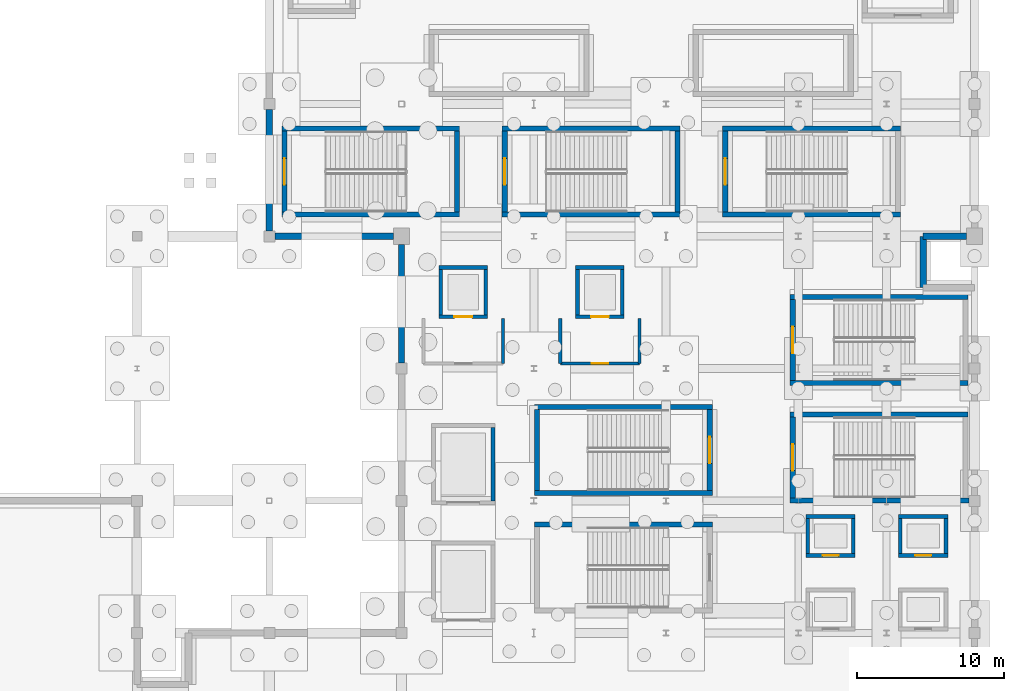
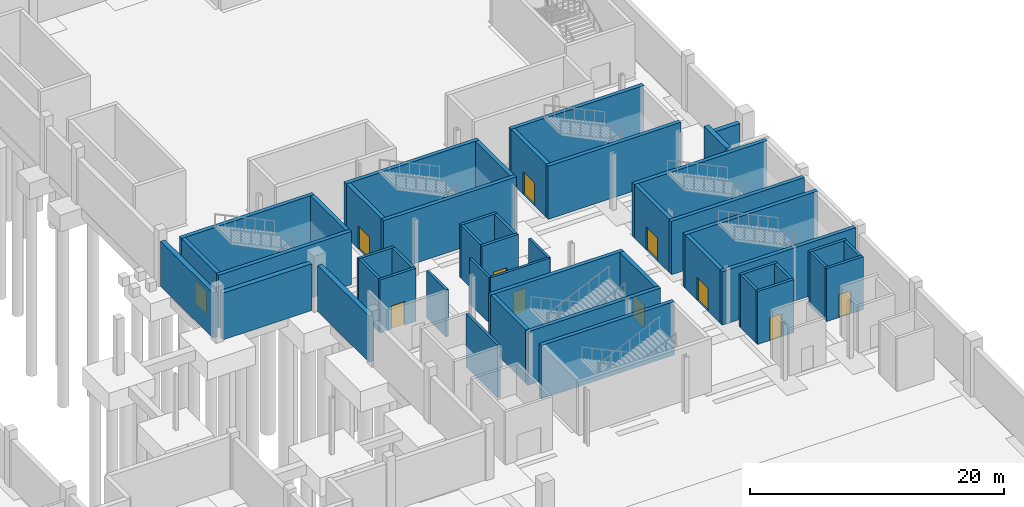
# One storey, part 44 of 58: 48 walls, 11 doors, 11 openings.
"""IFC4 building model written with IfcOpenShell, lengths in metres."""

from ifc_helpers import new_model, si_unit, direction, frame, frame_2d, origin, place, context, subcontext, project, spatial, rectangle, extrude, material, layer, layer_set, type_object, element, fill, save


model = new_model("IFC4")

# Units and contexts
model_context = context("Model", 3, precision=1e-05, world=origin(), true_north=direction((0.0, 1.0)))
body_context = subcontext(model_context, "Body", "Model", "MODEL_VIEW")
ifc_project = project(units=[si_unit("LENGTHUNIT", "METRE"), si_unit("AREAUNIT", "SQUARE_METRE"), si_unit("VOLUMEUNIT", "CUBIC_METRE"), si_unit("PLANEANGLEUNIT", "RADIAN"), si_unit("MASSUNIT", "GRAM", prefix="KILO")], contexts=[model_context])

# Site, building, storey
site_placement = place(None, origin())
site = spatial("IfcSite", under=ifc_project, at=site_placement, CompositionType="ELEMENT")
building_placement = place(site_placement, origin())
building = spatial("IfcBuilding", under=site, at=building_placement, Name="Qamarlyn Nura Convention Centre", CompositionType="ELEMENT")
storey_placement = place(building_placement, frame((0.0, 0.0, -5.39990234375)))
storey = spatial("IfcBuildingStorey", under=building, at=storey_placement, Name="B01", CompositionType="ELEMENT", Elevation=-5.39990234375)

# Wall
ifc_material_1 = material(Name="Fire-rated acoustic gypsum board and mineral wool EI 120")
ifc_layer_1 = layer(ifc_material_1, 0.219970703125, Name="WT-COMP-220")
ifc_layer_set_1 = layer_set([ifc_layer_1], Name="Fire-rated acoustic gypsum board and mineral wool EI 120")
wall_type_1 = type_object("IfcWallType", Name="WT-COMP-220", PredefinedType="SOLIDWALL", material=ifc_layer_set_1)
wall_1_placement = place(storey_placement, frame((159.89990234375, 72.35009765625, 0.0), z_axis=(0.0, 0.0, 1.0), x_axis=(0.0, 1.0, 0.0)))
element("IfcWall", 1, at=wall_1_placement, inside=storey, type_object=wall_type_1, Name="B01 firefighting lobby barrier wall FFL-03-E", PredefinedType="SOLIDWALL", context=body_context, shape_type="SweptSolid", body=[
    extrude(rectangle(XDim=3.0498046875, YDim=0.219970703125, at=frame_2d((1.52490234375, 0.0))), origin(), (0.0, 0.0, 1.0), 4.513916015625),
])

# Wall, opening, door
wall_2_placement = place(storey_placement, frame((163.800048828125, 72.35009765625, 0.0), z_axis=(0.0, 0.0, 1.0), x_axis=(1.0, 0.0, 0.0)))
wall_2 = element("IfcWall", 2, at=wall_2_placement, inside=storey, type_object=wall_type_1, Name="B01 firefighting lobby barrier wall FFL-04-OPP", PredefinedType="SOLIDWALL", context=body_context, shape_type="SweptSolid", body=[
    extrude(rectangle(XDim=5.39990234375, YDim=0.219970703125, at=frame_2d((2.699951171875, 0.0))), origin(), (0.0, 0.0, 1.0), 4.351806640625),
])
opening_1_placement = place(wall_2_placement, frame((2.139892578125, 0.0, 0.0)))
opening_1 = element("IfcOpeningElement", 3, at=opening_1_placement, cuts=wall_2, Name="Opening DF-124", PredefinedType="OPENING", context=body_context, shape_type="SweptSolid", body=[
    extrude(rectangle(XDim=1.1201171875, YDim=2.199951171875, at=frame_2d((0.56005859375, 1.10009765625))), frame((0.0, 0.1201171875, 0.0), z_axis=(0.0, -1.0, 0.0), x_axis=(1.0, 0.0, 0.0)), (0.0, 0.0, 1.0), 0.239990234375),
])
ifc_material_2 = material(Name="Galvanised fire-rated hollow steel door", Category="steel")
door_type_1 = type_object("IfcDoorType", Name="DR-FFL-1120", OperationType="NOTDEFINED", PredefinedType="DOOR", material=ifc_material_2)
door_1_placement = place(opening_1_placement, origin())
door_1 = element("IfcDoor", 4, at=door_1_placement, inside=storey, type_object=door_type_1, Name="B01 firefighting lobby door FFL-04 (DF-124)", OperationType="SINGLE_SWING_RIGHT", OverallHeight=2.199951171875, OverallWidth=1.1201171875, PredefinedType="DOOR", context=body_context, shape_type="SweptSolid", body=[
    extrude(rectangle(XDim=1.1201171875, YDim=2.199951171875, at=frame_2d((0.56005859375, 1.10009765625))), frame((0.0, 0.02490234375, 0.0), z_axis=(0.0, -1.0, 0.0), x_axis=(1.0, 0.0, 0.0)), (0.0, 0.0, 1.0), 0.050048828125),
])
fill(opening_1, door_1)

# Walls
for number, where, z_axis, x_axis, name in (
    (5, (163.800048828125, 72.35009765625, 0.0), (0.0, 0.0, 1.0), (0.0, 1.0, 0.0), "B01 firefighting lobby barrier wall FFL-04-W"),
    (6, (169.199951171875, 72.35009765625, 0.0), (0.0, 0.0, 1.0), (0.0, 1.0, 0.0), "B01 firefighting lobby barrier wall FFL-04-E"),
):
    element("IfcWall", number, at=place(storey_placement, frame(where, z_axis=z_axis, x_axis=x_axis)), inside=storey, type_object=wall_type_1, Name=name, PredefinedType="SOLIDWALL", context=body_context, shape_type="SweptSolid", body=[
        extrude(rectangle(XDim=3.0498046875, YDim=0.219970703125, at=frame_2d((1.52490234375, 0.0))), origin(), (0.0, 0.0, 1.0), 4.351806640625),
    ])
ifc_material_3 = material(Name="Concrete C50/60", Category="concrete")
ifc_layer_2 = layer(ifc_material_3, 0.35009765625, Name="WT-CORE-350")
ifc_layer_set_2 = layer_set([ifc_layer_2], Name="Concrete C50/60")
wall_type_2 = type_object("IfcWallType", Name="WT-CORE-350", PredefinedType="SHEAR", material=ifc_layer_set_2)
for number, where, z_axis, x_axis, name in (
    (7, (174.14990234375, 61.375, 0.0), (0.0, 0.0, 1.0), (-1.0, 0.0, 0.0), "B01 stair core shear wall ST-11-N"),
    (8, (162.050048828125, 63.52490234375, 0.0), (0.0, 0.0, 1.0), (1.0, 0.0, 0.0), "B01 stair core shear wall ST-12-S"),
    (9, (174.14990234375, 69.375, 0.0), (0.0, 0.0, 1.0), (-1.0, 0.0, 0.0), "B01 stair core shear wall ST-12-N"),
):
    element("IfcWall", number, at=place(storey_placement, frame(where, z_axis=z_axis, x_axis=x_axis)), inside=storey, type_object=wall_type_2, Name=name, PredefinedType="SHEAR", context=body_context, shape_type="SweptSolid", body=[
        extrude(rectangle(XDim=12.099853515625, YDim=0.35009765625, at=frame_2d((6.0498046875, 0.0))), origin(), (0.0, 0.0, 1.0), 5.139892578125),
    ])
wall_3_placement = place(storey_placement, frame((162.22509765625, 69.199951171875, 0.0), z_axis=(0.0, 0.0, 1.0), x_axis=(0.0, -1.0, 0.0)))
element("IfcWall", 10, at=wall_3_placement, inside=storey, type_object=wall_type_2, Name="B01 stair core shear wall ST-12-W", PredefinedType="SHEAR", context=body_context, shape_type="SweptSolid", body=[
    extrude(rectangle(XDim=5.5, YDim=0.35009765625, at=frame_2d((2.75, 0.0))), origin(), (0.0, 0.0, 1.0), 5.139892578125),
])

# Wall, opening, door
wall_4_placement = place(storey_placement, frame((173.97509765625, 63.699951171875, 0.0), z_axis=(0.0, 0.0, 1.0), x_axis=(0.0, 1.0, 0.0)))
wall_4 = element("IfcWall", 11, at=wall_4_placement, inside=storey, type_object=wall_type_2, Name="B01 stair core shear wall ST-12-E", PredefinedType="SHEAR", context=body_context, shape_type="SweptSolid", body=[
    extrude(rectangle(XDim=5.5, YDim=0.35009765625, at=frame_2d((2.75, 0.0))), origin(), (0.0, 0.0, 1.0), 5.139892578125),
])
opening_2_placement = place(wall_4_placement, frame((1.85009765625, 0.0, 0.0)))
opening_2 = element("IfcOpeningElement", 12, at=opening_2_placement, cuts=wall_4, Name="Opening DS-050", PredefinedType="OPENING", context=body_context, shape_type="SweptSolid", body=[
    extrude(rectangle(XDim=1.800048828125, YDim=2.199951171875, at=frame_2d((0.89990234375, 1.10009765625))), frame((0.0, 0.18505859375, 0.0), z_axis=(0.0, -1.0, 0.0), x_axis=(1.0, 0.0, 0.0)), (0.0, 0.0, 1.0), 0.3701171875),
])
door_type_2 = type_object("IfcDoorType", Name="DR-STAIR-1800", OperationType="DOUBLE_DOOR_SINGLE_SWING", PredefinedType="DOOR", material=ifc_material_2)
door_2_placement = place(opening_2_placement, origin())
door_2 = element("IfcDoor", 13, at=door_2_placement, inside=storey, type_object=door_type_2, Name="B01 exit stair door ST-12 (DS-050)", OperationType="DOUBLE_DOOR_SINGLE_SWING", OverallHeight=2.199951171875, OverallWidth=1.800048828125, PredefinedType="DOOR", context=body_context, shape_type="SweptSolid", body=[
    extrude(rectangle(XDim=1.800048828125, YDim=2.199951171875, at=frame_2d((0.89990234375, 1.10009765625))), frame((0.0, 0.02490234375, 0.0), z_axis=(0.0, -1.0, 0.0), x_axis=(1.0, 0.0, 0.0)), (0.0, 0.0, 1.0), 0.050048828125),
])
fill(opening_2, door_2)

# Walls
wall_5_placement = place(storey_placement, frame((179.449951171875, 63.02490234375, 0.0), z_axis=(0.0, 0.0, 1.0), x_axis=(1.0, 0.0, 0.0)))
element("IfcWall", 14, at=wall_5_placement, inside=storey, type_object=wall_type_2, Name="B01 stair core shear wall ST-13-S", PredefinedType="SHEAR", context=body_context, shape_type="SweptSolid", body=[
    extrude(rectangle(XDim=12.175048828125, YDim=0.35009765625, at=frame_2d((6.08740234375, 0.0))), origin(), (0.0, 0.0, 1.0), 5.139892578125),
])
wall_6_placement = place(storey_placement, frame((191.550048828125, 68.875, 0.0), z_axis=(0.0, 0.0, 1.0), x_axis=(-1.0, 0.0, 0.0)))
element("IfcWall", 15, at=wall_6_placement, inside=storey, type_object=wall_type_2, Name="B01 stair core shear wall ST-13-N", PredefinedType="SHEAR", context=body_context, shape_type="SweptSolid", body=[
    extrude(rectangle(XDim=12.10009765625, YDim=0.35009765625, at=frame_2d((6.050048828125, 0.0))), origin(), (0.0, 0.0, 1.0), 5.139892578125),
])

# Wall, opening, door
wall_7_placement = place(storey_placement, frame((179.625, 68.699951171875, 0.0), z_axis=(0.0, 0.0, 1.0), x_axis=(0.0, -1.0, 0.0)))
wall_7 = element("IfcWall", 16, at=wall_7_placement, inside=storey, type_object=wall_type_2, Name="B01 stair core shear wall ST-13-W", PredefinedType="SHEAR", context=body_context, shape_type="SweptSolid", body=[
    extrude(rectangle(XDim=5.5, YDim=0.35009765625, at=frame_2d((2.75, 0.0))), origin(), (0.0, 0.0, 1.0), 5.139892578125),
])
opening_3_placement = place(wall_7_placement, frame((1.85009765625, 0.0, 0.0)))
opening_3 = element("IfcOpeningElement", 17, at=opening_3_placement, cuts=wall_7, Name="Opening DS-057", PredefinedType="OPENING", context=body_context, shape_type="SweptSolid", body=[
    extrude(rectangle(XDim=1.800048828125, YDim=2.199951171875, at=frame_2d((0.89990234375, 1.10009765625))), frame((0.0, 0.18505859375, 0.0), z_axis=(0.0, -1.0, 0.0), x_axis=(1.0, 0.0, 0.0)), (0.0, 0.0, 1.0), 0.3701171875),
])
door_3_placement = place(opening_3_placement, origin())
door_3 = element("IfcDoor", 18, at=door_3_placement, inside=storey, type_object=door_type_2, Name="B01 exit stair door ST-13 (DS-057)", OperationType="DOUBLE_DOOR_SINGLE_SWING", OverallHeight=2.199951171875, OverallWidth=1.800048828125, PredefinedType="DOOR", context=body_context, shape_type="SweptSolid", body=[
    extrude(rectangle(XDim=1.800048828125, YDim=2.199951171875, at=frame_2d((0.89990234375, 1.10009765625))), frame((0.0, 0.02490234375, 0.0), z_axis=(0.0, -1.0, 0.0), x_axis=(1.0, 0.0, 0.0)), (0.0, 0.0, 1.0), 0.050048828125),
])
fill(opening_3, door_3)

# Walls
for number, where, z_axis, x_axis, name in (
    (19, (179.449951171875, 71.02490234375, 0.0), (0.0, 0.0, 1.0), (1.0, 0.0, 0.0), "B01 stair core shear wall ST-14-S"),
    (20, (191.550048828125, 76.875, 0.0), (0.0, 0.0, 1.0), (-1.0, 0.0, 0.0), "B01 stair core shear wall ST-14-N"),
):
    element("IfcWall", number, at=place(storey_placement, frame(where, z_axis=z_axis, x_axis=x_axis)), inside=storey, type_object=wall_type_2, Name=name, PredefinedType="SHEAR", context=body_context, shape_type="SweptSolid", body=[
        extrude(rectangle(XDim=12.10009765625, YDim=0.35009765625, at=frame_2d((6.050048828125, 0.0))), origin(), (0.0, 0.0, 1.0), 5.139892578125),
    ])

# Wall, opening, door
wall_8_placement = place(storey_placement, frame((179.625, 76.699951171875, 0.0), z_axis=(0.0, 0.0, 1.0), x_axis=(0.0, -1.0, 0.0)))
wall_8 = element("IfcWall", 21, at=wall_8_placement, inside=storey, type_object=wall_type_2, Name="B01 stair core shear wall ST-14-W", PredefinedType="SHEAR", context=body_context, shape_type="SweptSolid", body=[
    extrude(rectangle(XDim=5.5, YDim=0.35009765625, at=frame_2d((2.75, 0.0))), origin(), (0.0, 0.0, 1.0), 5.139892578125),
])
opening_4_placement = place(wall_8_placement, frame((1.85009765625, 0.0, 0.0)))
opening_4 = element("IfcOpeningElement", 22, at=opening_4_placement, cuts=wall_8, Name="Opening DS-064", PredefinedType="OPENING", context=body_context, shape_type="SweptSolid", body=[
    extrude(rectangle(XDim=1.800048828125, YDim=2.199951171875, at=frame_2d((0.89990234375, 1.10009765625))), frame((0.0, 0.18505859375, 0.0), z_axis=(0.0, -1.0, 0.0), x_axis=(1.0, 0.0, 0.0)), (0.0, 0.0, 1.0), 0.3701171875),
])
door_4_placement = place(opening_4_placement, origin())
door_4 = element("IfcDoor", 23, at=door_4_placement, inside=storey, type_object=door_type_2, Name="B01 exit stair door ST-14 (DS-064)", OperationType="DOUBLE_DOOR_SINGLE_SWING", OverallHeight=2.199951171875, OverallWidth=1.800048828125, PredefinedType="DOOR", context=body_context, shape_type="SweptSolid", body=[
    extrude(rectangle(XDim=1.800048828125, YDim=2.199951171875, at=frame_2d((0.89990234375, 1.10009765625))), frame((0.0, 0.02490234375, 0.0), z_axis=(0.0, -1.0, 0.0), x_axis=(1.0, 0.0, 0.0)), (0.0, 0.0, 1.0), 0.050048828125),
])
fill(opening_4, door_4)

# Walls
for number, where, z_axis, x_axis, name in (
    (24, (144.85009765625, 82.47509765625, 0.0), (0.0, 0.0, 1.0), (1.0, 0.0, 0.0), "B01 stair core shear wall ST-15-S"),
    (25, (156.949951171875, 88.324951171875, 0.0), (0.0, 0.0, 1.0), (-1.0, 0.0, 0.0), "B01 stair core shear wall ST-15-N"),
):
    element("IfcWall", number, at=place(storey_placement, frame(where, z_axis=z_axis, x_axis=x_axis)), inside=storey, type_object=wall_type_2, Name=name, PredefinedType="SHEAR", context=body_context, shape_type="SweptSolid", body=[
        extrude(rectangle(XDim=12.099853515625, YDim=0.35009765625, at=frame_2d((6.0498046875, 0.0))), origin(), (0.0, 0.0, 1.0), 5.119873046875),
    ])

# Wall, opening, door
wall_9_placement = place(storey_placement, frame((145.02490234375, 88.14990234375, 0.0), z_axis=(0.0, 0.0, 1.0), x_axis=(0.0, -1.0, 0.0)))
wall_9 = element("IfcWall", 26, at=wall_9_placement, inside=storey, type_object=wall_type_2, Name="B01 stair core shear wall ST-15-W", PredefinedType="SHEAR", context=body_context, shape_type="SweptSolid", body=[
    extrude(rectangle(XDim=5.5, YDim=0.35009765625, at=frame_2d((2.75, 0.0))), origin(), (0.0, 0.0, 1.0), 5.119873046875),
])
opening_5_placement = place(wall_9_placement, frame((1.85009765625, 0.0, 0.0)))
opening_5 = element("IfcOpeningElement", 27, at=opening_5_placement, cuts=wall_9, Name="Opening DS-071", PredefinedType="OPENING", context=body_context, shape_type="SweptSolid", body=[
    extrude(rectangle(XDim=1.800048828125, YDim=2.199951171875, at=frame_2d((0.89990234375, 1.10009765625))), frame((0.0, 0.18505859375, 0.0), z_axis=(0.0, -1.0, 0.0), x_axis=(1.0, 0.0, 0.0)), (0.0, 0.0, 1.0), 0.3701171875),
])
door_5_placement = place(opening_5_placement, origin())
door_5 = element("IfcDoor", 28, at=door_5_placement, inside=storey, type_object=door_type_2, Name="B01 exit stair door ST-15 (DS-071)", OperationType="DOUBLE_DOOR_SINGLE_SWING", OverallHeight=2.199951171875, OverallWidth=1.800048828125, PredefinedType="DOOR", context=body_context, shape_type="SweptSolid", body=[
    extrude(rectangle(XDim=1.800048828125, YDim=2.199951171875, at=frame_2d((0.89990234375, 1.10009765625))), frame((0.0, 0.02490234375, 0.0), z_axis=(0.0, -1.0, 0.0), x_axis=(1.0, 0.0, 0.0)), (0.0, 0.0, 1.0), 0.050048828125),
])
fill(opening_5, door_5)

# Walls
wall_10_placement = place(storey_placement, frame((156.77490234375, 82.64990234375, 0.0), z_axis=(0.0, 0.0, 1.0), x_axis=(0.0, 1.0, 0.0)))
element("IfcWall", 29, at=wall_10_placement, inside=storey, type_object=wall_type_2, Name="B01 stair core shear wall ST-15-E", PredefinedType="SHEAR", context=body_context, shape_type="SweptSolid", body=[
    extrude(rectangle(XDim=5.5, YDim=0.35009765625, at=frame_2d((2.75, 0.0))), origin(), (0.0, 0.0, 1.0), 5.119873046875),
])
for number, where, z_axis, x_axis, name in (
    (30, (159.85009765625, 82.47509765625, 0.0), (0.0, 0.0, 1.0), (1.0, 0.0, 0.0), "B01 stair core shear wall ST-16-S"),
    (31, (171.949951171875, 88.324951171875, 0.0), (0.0, 0.0, 1.0), (-1.0, 0.0, 0.0), "B01 stair core shear wall ST-16-N"),
):
    element("IfcWall", number, at=place(storey_placement, frame(where, z_axis=z_axis, x_axis=x_axis)), inside=storey, type_object=wall_type_2, Name=name, PredefinedType="SHEAR", context=body_context, shape_type="SweptSolid", body=[
        extrude(rectangle(XDim=12.099853515625, YDim=0.35009765625, at=frame_2d((6.0498046875, 0.0))), origin(), (0.0, 0.0, 1.0), 5.119873046875),
    ])

# Wall, opening, door
wall_11_placement = place(storey_placement, frame((160.02490234375, 88.14990234375, 0.0), z_axis=(0.0, 0.0, 1.0), x_axis=(0.0, -1.0, 0.0)))
wall_11 = element("IfcWall", 32, at=wall_11_placement, inside=storey, type_object=wall_type_2, Name="B01 stair core shear wall ST-16-W", PredefinedType="SHEAR", context=body_context, shape_type="SweptSolid", body=[
    extrude(rectangle(XDim=5.5, YDim=0.35009765625, at=frame_2d((2.75, 0.0))), origin(), (0.0, 0.0, 1.0), 5.119873046875),
])
opening_6_placement = place(wall_11_placement, frame((1.85009765625, 0.0, 0.0)))
opening_6 = element("IfcOpeningElement", 33, at=opening_6_placement, cuts=wall_11, Name="Opening DS-077", PredefinedType="OPENING", context=body_context, shape_type="SweptSolid", body=[
    extrude(rectangle(XDim=1.800048828125, YDim=2.199951171875, at=frame_2d((0.89990234375, 1.10009765625))), frame((0.0, 0.18505859375, 0.0), z_axis=(0.0, -1.0, 0.0), x_axis=(1.0, 0.0, 0.0)), (0.0, 0.0, 1.0), 0.3701171875),
])
door_6_placement = place(opening_6_placement, origin())
door_6 = element("IfcDoor", 34, at=door_6_placement, inside=storey, type_object=door_type_2, Name="B01 exit stair door ST-16 (DS-077)", OperationType="DOUBLE_DOOR_SINGLE_SWING", OverallHeight=2.199951171875, OverallWidth=1.800048828125, PredefinedType="DOOR", context=body_context, shape_type="SweptSolid", body=[
    extrude(rectangle(XDim=1.800048828125, YDim=2.199951171875, at=frame_2d((0.89990234375, 1.10009765625))), frame((0.0, 0.02490234375, 0.0), z_axis=(0.0, -1.0, 0.0), x_axis=(1.0, 0.0, 0.0)), (0.0, 0.0, 1.0), 0.050048828125),
])
fill(opening_6, door_6)

# Walls
wall_12_placement = place(storey_placement, frame((171.77490234375, 82.64990234375, 0.0), z_axis=(0.0, 0.0, 1.0), x_axis=(0.0, 1.0, 0.0)))
element("IfcWall", 35, at=wall_12_placement, inside=storey, type_object=wall_type_2, Name="B01 stair core shear wall ST-16-E", PredefinedType="SHEAR", context=body_context, shape_type="SweptSolid", body=[
    extrude(rectangle(XDim=5.5, YDim=0.35009765625, at=frame_2d((2.75, 0.0))), origin(), (0.0, 0.0, 1.0), 5.119873046875),
])
for number, where, z_axis, x_axis, name in (
    (36, (174.85009765625, 82.47509765625, 0.0), (0.0, 0.0, 1.0), (1.0, 0.0, 0.0), "B01 stair core shear wall ST-17-S"),
    (37, (186.949951171875, 88.324951171875, 0.0), (0.0, 0.0, 1.0), (-1.0, 0.0, 0.0), "B01 stair core shear wall ST-17-N"),
):
    element("IfcWall", number, at=place(storey_placement, frame(where, z_axis=z_axis, x_axis=x_axis)), inside=storey, type_object=wall_type_2, Name=name, PredefinedType="SHEAR", context=body_context, shape_type="SweptSolid", body=[
        extrude(rectangle(XDim=12.099853515625, YDim=0.35009765625, at=frame_2d((6.0498046875, 0.0))), origin(), (0.0, 0.0, 1.0), 5.119873046875),
    ])

# Wall, opening, door
wall_13_placement = place(storey_placement, frame((175.02490234375, 88.14990234375, 0.0), z_axis=(0.0, 0.0, 1.0), x_axis=(0.0, -1.0, 0.0)))
wall_13 = element("IfcWall", 38, at=wall_13_placement, inside=storey, type_object=wall_type_2, Name="B01 stair core shear wall ST-17-W", PredefinedType="SHEAR", context=body_context, shape_type="SweptSolid", body=[
    extrude(rectangle(XDim=5.5, YDim=0.35009765625, at=frame_2d((2.75, 0.0))), origin(), (0.0, 0.0, 1.0), 5.119873046875),
])
opening_7_placement = place(wall_13_placement, frame((1.85009765625, 0.0, 0.0)))
opening_7 = element("IfcOpeningElement", 39, at=opening_7_placement, cuts=wall_13, Name="Opening DS-082", PredefinedType="OPENING", context=body_context, shape_type="SweptSolid", body=[
    extrude(rectangle(XDim=1.800048828125, YDim=2.199951171875, at=frame_2d((0.89990234375, 1.10009765625))), frame((0.0, 0.18505859375, 0.0), z_axis=(0.0, -1.0, 0.0), x_axis=(1.0, 0.0, 0.0)), (0.0, 0.0, 1.0), 0.3701171875),
])
door_7_placement = place(opening_7_placement, origin())
door_7 = element("IfcDoor", 40, at=door_7_placement, inside=storey, type_object=door_type_2, Name="B01 exit stair door ST-17 (DS-082)", OperationType="DOUBLE_DOOR_SINGLE_SWING", OverallHeight=2.199951171875, OverallWidth=1.800048828125, PredefinedType="DOOR", context=body_context, shape_type="SweptSolid", body=[
    extrude(rectangle(XDim=1.800048828125, YDim=2.199951171875, at=frame_2d((0.89990234375, 1.10009765625))), frame((0.0, 0.02490234375, 0.0), z_axis=(0.0, -1.0, 0.0), x_axis=(1.0, 0.0, 0.0)), (0.0, 0.0, 1.0), 0.050048828125),
])
fill(opening_7, door_7)

# Walls
ifc_material_4 = material(Name="Concrete C40/50", Category="concrete")
ifc_layer_3 = layer(ifc_material_4, 0.419921875, Name="WT-RET-420")
ifc_layer_set_3 = layer_set([ifc_layer_3], Name="Concrete C40/50")
wall_type_3 = type_object("IfcWallType", Name="WT-RET-420", PredefinedType="USERDEFINED", material=ifc_layer_set_3)
wall_14_placement = place(storey_placement, frame((153.0, 72.375, 0.0), z_axis=(0.0, 0.0, 1.0), x_axis=(0.0, 1.0, 0.0)))
element("IfcWall", 41, at=wall_14_placement, inside=storey, type_object=wall_type_3, Name="B01 perimeter retaining wall 46", ObjectType="RETAININGWALL", PredefinedType="USERDEFINED", context=body_context, shape_type="SweptSolid", body=[
    extrude(rectangle(XDim=8.074951171875, YDim=0.419921875, at=frame_2d((4.03759765625, 0.0))), origin(), (0.0, 0.0, 1.0), 4.429931640625),
])
wall_15_placement = place(storey_placement, frame((144.0, 81.375, 0.0), z_axis=(0.0, 0.0, 1.0), x_axis=(0.0, 1.0, 0.0)))
element("IfcWall", 42, at=wall_15_placement, inside=storey, type_object=wall_type_3, Name="B01 perimeter retaining wall 48", ObjectType="RETAININGWALL", PredefinedType="USERDEFINED", context=body_context, shape_type="SweptSolid", body=[
    extrude(rectangle(XDim=8.25, YDim=0.419921875, at=frame_2d((4.125, 0.0))), origin(), (0.0, 0.0, 1.0), 4.331787109375),
])
wall_16_placement = place(storey_placement, frame((191.449951171875, 81.0, 0.0), z_axis=(0.0, 0.0, 1.0), x_axis=(-1.0, 0.0, 0.0)))
element("IfcWall", 43, at=wall_16_placement, inside=storey, type_object=wall_type_3, Name="B01 perimeter retaining wall 66", ObjectType="RETAININGWALL", PredefinedType="USERDEFINED", context=body_context, shape_type="SweptSolid", body=[
    extrude(rectangle(XDim=2.949951171875, YDim=0.419921875, at=frame_2d((1.47509765625, 0.0))), origin(), (0.0, 0.0, 1.0), 4.331787109375),
])
ifc_layer_4 = layer(ifc_material_4, 0.449951171875, Name="WT-RET-450")
ifc_layer_set_4 = layer_set([ifc_layer_4], Name="Concrete C40/50")
wall_type_4 = type_object("IfcWallType", Name="WT-RET-450", PredefinedType="USERDEFINED", material=ifc_layer_set_4)
wall_17_placement = place(storey_placement, frame((152.449951171875, 81.0, 0.0), z_axis=(0.0, 0.0, 1.0), x_axis=(-1.0, 0.0, 0.0)))
element("IfcWall", 44, at=wall_17_placement, inside=storey, type_object=wall_type_4, Name="B01 perimeter retaining wall 47", ObjectType="RETAININGWALL", PredefinedType="USERDEFINED", context=body_context, shape_type="SweptSolid", body=[
    extrude(rectangle(XDim=8.074951171875, YDim=0.449951171875, at=frame_2d((4.03759765625, 0.0))), origin(), (0.0, 0.0, 1.0), 4.493896484375),
])
wall_18_placement = place(storey_placement, frame((188.5, 81.0, 0.0), z_axis=(0.0, 0.0, 1.0), x_axis=(0.0, -1.0, 0.0)))
element("IfcWall", 45, at=wall_18_placement, inside=storey, type_object=wall_type_4, Name="B01 perimeter retaining wall 67", ObjectType="RETAININGWALL", PredefinedType="USERDEFINED", context=body_context, shape_type="SweptSolid", body=[
    extrude(rectangle(XDim=3.5, YDim=0.449951171875, at=frame_2d((1.75, 0.0))), origin(), (0.0, 0.0, 1.0), 5.0498046875),
])

# Wall, opening, door
ifc_layer_5 = layer(ifc_material_1, 0.25, Name="WT-SHAFT-250")
ifc_layer_set_5 = layer_set([ifc_layer_5], Name="Fire-rated acoustic gypsum board and mineral wool EI 120")
wall_type_5 = type_object("IfcWallType", Name="WT-SHAFT-250", PredefinedType="SOLIDWALL", material=ifc_layer_set_5)
wall_19_placement = place(storey_placement, frame((155.550048828125, 75.52490234375, 0.0), z_axis=(0.0, 0.0, 1.0), x_axis=(1.0, 0.0, 0.0)))
wall_19 = element("IfcWall", 46, at=wall_19_placement, inside=storey, type_object=wall_type_5, Name="B01 lift shaft enclosure wall FFL-03 -y", PredefinedType="SOLIDWALL", context=body_context, shape_type="SweptSolid", body=[
    extrude(rectangle(XDim=3.300048828125, YDim=0.25, at=frame_2d((1.64990234375, 0.0))), origin(), (0.0, 0.0, 1.0), 5.099853515625),
])
opening_8_placement = place(wall_19_placement, frame((1.050048828125, 0.0, 0.0)))
opening_8 = element("IfcOpeningElement", 47, at=opening_8_placement, cuts=wall_19, Name="Opening LD-FFL-03-B01", PredefinedType="OPENING", context=body_context, shape_type="SweptSolid", body=[
    extrude(rectangle(XDim=1.199951171875, YDim=2.25, at=frame_2d((0.60009765625, 1.125))), frame((0.0, 0.135009765625, 0.0), z_axis=(0.0, -1.0, 0.0), x_axis=(1.0, 0.0, 0.0)), (0.0, 0.0, 1.0), 0.27001953125),
])
ifc_material_5 = material(Name="Marine Grade 316 stainless steel", Category="steel")
door_type_3 = type_object("IfcDoorType", Name="DR-LD-FFL", OperationType="DOUBLE_DOOR_SLIDING", PredefinedType="DOOR", material=ifc_material_5)
door_8_placement = place(opening_8_placement, origin())
door_8 = element("IfcDoor", 48, at=door_8_placement, inside=storey, type_object=door_type_3, Name="Lift landing door LD-FFL-03-B01", OperationType="DOUBLE_DOOR_SLIDING", OverallHeight=2.25, OverallWidth=1.199951171875, PredefinedType="DOOR", context=body_context, shape_type="SweptSolid", body=[
    extrude(rectangle(XDim=1.199951171875, YDim=2.25, at=frame_2d((0.60009765625, 1.125))), frame((0.0, 0.02490234375, 0.0), z_axis=(0.0, -1.0, 0.0), x_axis=(1.0, 0.0, 0.0)), (0.0, 0.0, 1.0), 0.050048828125),
])
fill(opening_8, door_8)

# Walls
wall_20_placement = place(storey_placement, frame((158.85009765625, 78.875, 0.0), z_axis=(0.0, 0.0, 1.0), x_axis=(-1.0, 0.0, 0.0)))
element("IfcWall", 49, at=wall_20_placement, inside=storey, type_object=wall_type_5, Name="B01 lift shaft enclosure wall FFL-03 +y", PredefinedType="SOLIDWALL", context=body_context, shape_type="SweptSolid", body=[
    extrude(rectangle(XDim=3.300048828125, YDim=0.25, at=frame_2d((1.64990234375, 0.0))), origin(), (0.0, 0.0, 1.0), 5.099853515625),
])
for number, where, z_axis, x_axis, name in (
    (50, (155.675048828125, 78.75, 0.0), (0.0, 0.0, 1.0), (0.0, -1.0, 0.0), "B01 lift shaft enclosure wall FFL-03 -x"),
    (51, (158.72509765625, 75.64990234375, 0.0), (0.0, 0.0, 1.0), (0.0, 1.0, 0.0), "B01 lift shaft enclosure wall FFL-03 +x"),
):
    element("IfcWall", number, at=place(storey_placement, frame(where, z_axis=z_axis, x_axis=x_axis)), inside=storey, type_object=wall_type_5, Name=name, PredefinedType="SOLIDWALL", context=body_context, shape_type="SweptSolid", body=[
        extrude(rectangle(XDim=3.10009765625, YDim=0.25, at=frame_2d((1.550048828125, 0.0))), origin(), (0.0, 0.0, 1.0), 5.099853515625),
    ])

# Wall, opening, door
wall_21_placement = place(storey_placement, frame((164.85009765625, 75.52490234375, 0.0), z_axis=(0.0, 0.0, 1.0), x_axis=(1.0, 0.0, 0.0)))
wall_21 = element("IfcWall", 52, at=wall_21_placement, inside=storey, type_object=wall_type_5, Name="B01 lift shaft enclosure wall FFL-04 -y", PredefinedType="SOLIDWALL", context=body_context, shape_type="SweptSolid", body=[
    extrude(rectangle(XDim=3.2998046875, YDim=0.25, at=frame_2d((1.64990234375, 0.0))), origin(), (0.0, 0.0, 1.0), 5.099853515625),
])
opening_9_placement = place(wall_21_placement, frame((1.050048828125, 0.0, 0.0)))
opening_9 = element("IfcOpeningElement", 53, at=opening_9_placement, cuts=wall_21, Name="Opening LD-FFL-04-B01", PredefinedType="OPENING", context=body_context, shape_type="SweptSolid", body=[
    extrude(rectangle(XDim=1.199951171875, YDim=2.25, at=frame_2d((0.60009765625, 1.125))), frame((0.0, 0.135009765625, 0.0), z_axis=(0.0, -1.0, 0.0), x_axis=(1.0, 0.0, 0.0)), (0.0, 0.0, 1.0), 0.27001953125),
])
door_9_placement = place(opening_9_placement, origin())
door_9 = element("IfcDoor", 54, at=door_9_placement, inside=storey, type_object=door_type_3, Name="Lift landing door LD-FFL-04-B01", OperationType="DOUBLE_DOOR_SLIDING", OverallHeight=2.25, OverallWidth=1.199951171875, PredefinedType="DOOR", context=body_context, shape_type="SweptSolid", body=[
    extrude(rectangle(XDim=1.199951171875, YDim=2.25, at=frame_2d((0.60009765625, 1.125))), frame((0.0, 0.02490234375, 0.0), z_axis=(0.0, -1.0, 0.0), x_axis=(1.0, 0.0, 0.0)), (0.0, 0.0, 1.0), 0.050048828125),
])
fill(opening_9, door_9)

# Walls
wall_22_placement = place(storey_placement, frame((168.14990234375, 78.875, 0.0), z_axis=(0.0, 0.0, 1.0), x_axis=(-1.0, 0.0, 0.0)))
element("IfcWall", 55, at=wall_22_placement, inside=storey, type_object=wall_type_5, Name="B01 lift shaft enclosure wall FFL-04 +y", PredefinedType="SOLIDWALL", context=body_context, shape_type="SweptSolid", body=[
    extrude(rectangle(XDim=3.2998046875, YDim=0.25, at=frame_2d((1.64990234375, 0.0))), origin(), (0.0, 0.0, 1.0), 5.099853515625),
])
for number, where, z_axis, x_axis, name in (
    (56, (164.97509765625, 78.75, 0.0), (0.0, 0.0, 1.0), (0.0, -1.0, 0.0), "B01 lift shaft enclosure wall FFL-04 -x"),
    (57, (168.02490234375, 75.64990234375, 0.0), (0.0, 0.0, 1.0), (0.0, 1.0, 0.0), "B01 lift shaft enclosure wall FFL-04 +x"),
):
    element("IfcWall", number, at=place(storey_placement, frame(where, z_axis=z_axis, x_axis=x_axis)), inside=storey, type_object=wall_type_5, Name=name, PredefinedType="SOLIDWALL", context=body_context, shape_type="SweptSolid", body=[
        extrude(rectangle(XDim=3.10009765625, YDim=0.25, at=frame_2d((1.550048828125, 0.0))), origin(), (0.0, 0.0, 1.0), 5.099853515625),
    ])

# Wall, opening, door
wall_23_placement = place(storey_placement, frame((180.52490234375, 59.27490234375, 0.0), z_axis=(0.0, 0.0, 1.0), x_axis=(1.0, 0.0, 0.0)))
wall_23 = element("IfcWall", 58, at=wall_23_placement, inside=storey, type_object=wall_type_5, Name="B01 lift shaft enclosure wall PL-01 -y", PredefinedType="SOLIDWALL", context=body_context, shape_type="SweptSolid", body=[
    extrude(rectangle(XDim=3.35009765625, YDim=0.25, at=frame_2d((1.675048828125, 0.0))), origin(), (0.0, 0.0, 1.0), 5.099853515625),
])
opening_10_placement = place(wall_23_placement, frame((1.125, 0.0, 0.0)))
opening_10 = element("IfcOpeningElement", 59, at=opening_10_placement, cuts=wall_23, Name="Opening LD-PL-01-B01", PredefinedType="OPENING", context=body_context, shape_type="SweptSolid", body=[
    extrude(rectangle(XDim=1.10009765625, YDim=2.199951171875, at=frame_2d((0.550048828125, 1.10009765625))), frame((0.0, 0.135009765625, 0.0), z_axis=(0.0, -1.0, 0.0), x_axis=(1.0, 0.0, 0.0)), (0.0, 0.0, 1.0), 0.27001953125),
])
door_type_4 = type_object("IfcDoorType", Name="DR-LD-PAX", OperationType="DOUBLE_DOOR_SLIDING", PredefinedType="DOOR", material=ifc_material_5)
door_10_placement = place(opening_10_placement, origin())
door_10 = element("IfcDoor", 60, at=door_10_placement, inside=storey, type_object=door_type_4, Name="Lift landing door LD-PL-01-B01", OperationType="DOUBLE_DOOR_SLIDING", OverallHeight=2.199951171875, OverallWidth=1.10009765625, PredefinedType="DOOR", context=body_context, shape_type="SweptSolid", body=[
    extrude(rectangle(XDim=1.10009765625, YDim=2.199951171875, at=frame_2d((0.550048828125, 1.10009765625))), frame((0.0, 0.02490234375, 0.0), z_axis=(0.0, -1.0, 0.0), x_axis=(1.0, 0.0, 0.0)), (0.0, 0.0, 1.0), 0.050048828125),
])
fill(opening_10, door_10)

# Walls
wall_24_placement = place(storey_placement, frame((183.875, 61.925048828125, 0.0), z_axis=(0.0, 0.0, 1.0), x_axis=(-1.0, 0.0, 0.0)))
element("IfcWall", 61, at=wall_24_placement, inside=storey, type_object=wall_type_5, Name="B01 lift shaft enclosure wall PL-01 +y", PredefinedType="SOLIDWALL", context=body_context, shape_type="SweptSolid", body=[
    extrude(rectangle(XDim=3.35009765625, YDim=0.25, at=frame_2d((1.675048828125, 0.0))), origin(), (0.0, 0.0, 1.0), 5.099853515625),
])
for number, where, z_axis, x_axis, name in (
    (62, (180.64990234375, 61.800048828125, 0.0), (0.0, 0.0, 1.0), (0.0, -1.0, 0.0), "B01 lift shaft enclosure wall PL-01 -x"),
    (63, (183.75, 59.39990234375, 0.0), (0.0, 0.0, 1.0), (0.0, 1.0, 0.0), "B01 lift shaft enclosure wall PL-01 +x"),
):
    element("IfcWall", number, at=place(storey_placement, frame(where, z_axis=z_axis, x_axis=x_axis)), inside=storey, type_object=wall_type_5, Name=name, PredefinedType="SOLIDWALL", context=body_context, shape_type="SweptSolid", body=[
        extrude(rectangle(XDim=2.400146484375, YDim=0.25, at=frame_2d((1.2001953125, 0.0))), origin(), (0.0, 0.0, 1.0), 5.099853515625),
    ])

# Wall, opening, door
wall_25_placement = place(storey_placement, frame((186.824951171875, 59.27490234375, 0.0), z_axis=(0.0, 0.0, 1.0), x_axis=(1.0, 0.0, 0.0)))
wall_25 = element("IfcWall", 64, at=wall_25_placement, inside=storey, type_object=wall_type_5, Name="B01 lift shaft enclosure wall PL-02 -y", PredefinedType="SOLIDWALL", context=body_context, shape_type="SweptSolid", body=[
    extrude(rectangle(XDim=3.35009765625, YDim=0.25, at=frame_2d((1.675048828125, 0.0))), origin(), (0.0, 0.0, 1.0), 5.099853515625),
])
opening_11_placement = place(wall_25_placement, frame((1.125, 0.0, 0.0)))
opening_11 = element("IfcOpeningElement", 65, at=opening_11_placement, cuts=wall_25, Name="Opening LD-PL-02-B01", PredefinedType="OPENING", context=body_context, shape_type="SweptSolid", body=[
    extrude(rectangle(XDim=1.10009765625, YDim=2.199951171875, at=frame_2d((0.550048828125, 1.10009765625))), frame((0.0, 0.135009765625, 0.0), z_axis=(0.0, -1.0, 0.0), x_axis=(1.0, 0.0, 0.0)), (0.0, 0.0, 1.0), 0.27001953125),
])
door_11_placement = place(opening_11_placement, origin())
door_11 = element("IfcDoor", 66, at=door_11_placement, inside=storey, type_object=door_type_4, Name="Lift landing door LD-PL-02-B01", OperationType="DOUBLE_DOOR_SLIDING", OverallHeight=2.199951171875, OverallWidth=1.10009765625, PredefinedType="DOOR", context=body_context, shape_type="SweptSolid", body=[
    extrude(rectangle(XDim=1.10009765625, YDim=2.199951171875, at=frame_2d((0.550048828125, 1.10009765625))), frame((0.0, 0.02490234375, 0.0), z_axis=(0.0, -1.0, 0.0), x_axis=(1.0, 0.0, 0.0)), (0.0, 0.0, 1.0), 0.050048828125),
])
fill(opening_11, door_11)

# Walls
wall_26_placement = place(storey_placement, frame((190.175048828125, 61.925048828125, 0.0), z_axis=(0.0, 0.0, 1.0), x_axis=(-1.0, 0.0, 0.0)))
element("IfcWall", 67, at=wall_26_placement, inside=storey, type_object=wall_type_5, Name="B01 lift shaft enclosure wall PL-02 +y", PredefinedType="SOLIDWALL", context=body_context, shape_type="SweptSolid", body=[
    extrude(rectangle(XDim=3.35009765625, YDim=0.25, at=frame_2d((1.675048828125, 0.0))), origin(), (0.0, 0.0, 1.0), 5.099853515625),
])
for number, where, z_axis, x_axis, name in (
    (68, (186.949951171875, 61.800048828125, 0.0), (0.0, 0.0, 1.0), (0.0, -1.0, 0.0), "B01 lift shaft enclosure wall PL-02 -x"),
    (69, (190.050048828125, 59.39990234375, 0.0), (0.0, 0.0, 1.0), (0.0, 1.0, 0.0), "B01 lift shaft enclosure wall PL-02 +x"),
):
    element("IfcWall", number, at=place(storey_placement, frame(where, z_axis=z_axis, x_axis=x_axis)), inside=storey, type_object=wall_type_5, Name=name, PredefinedType="SOLIDWALL", context=body_context, shape_type="SweptSolid", body=[
        extrude(rectangle(XDim=2.400146484375, YDim=0.25, at=frame_2d((1.2001953125, 0.0))), origin(), (0.0, 0.0, 1.0), 5.099853515625),
    ])
wall_27_placement = place(storey_placement, frame((159.22509765625, 63.0, 0.0), z_axis=(0.0, 0.0, 1.0), x_axis=(0.0, 1.0, 0.0)))
element("IfcWall", 70, at=wall_27_placement, inside=storey, type_object=wall_type_5, Name="B01 lift shaft enclosure wall FL-04 +x", PredefinedType="SOLIDWALL", context=body_context, shape_type="SweptSolid", body=[
    extrude(rectangle(XDim=5.0, YDim=0.25, at=frame_2d((2.5, 0.0))), origin(), (0.0, 0.0, 1.0), 5.099853515625),
])

save(model, "model.ifc")
